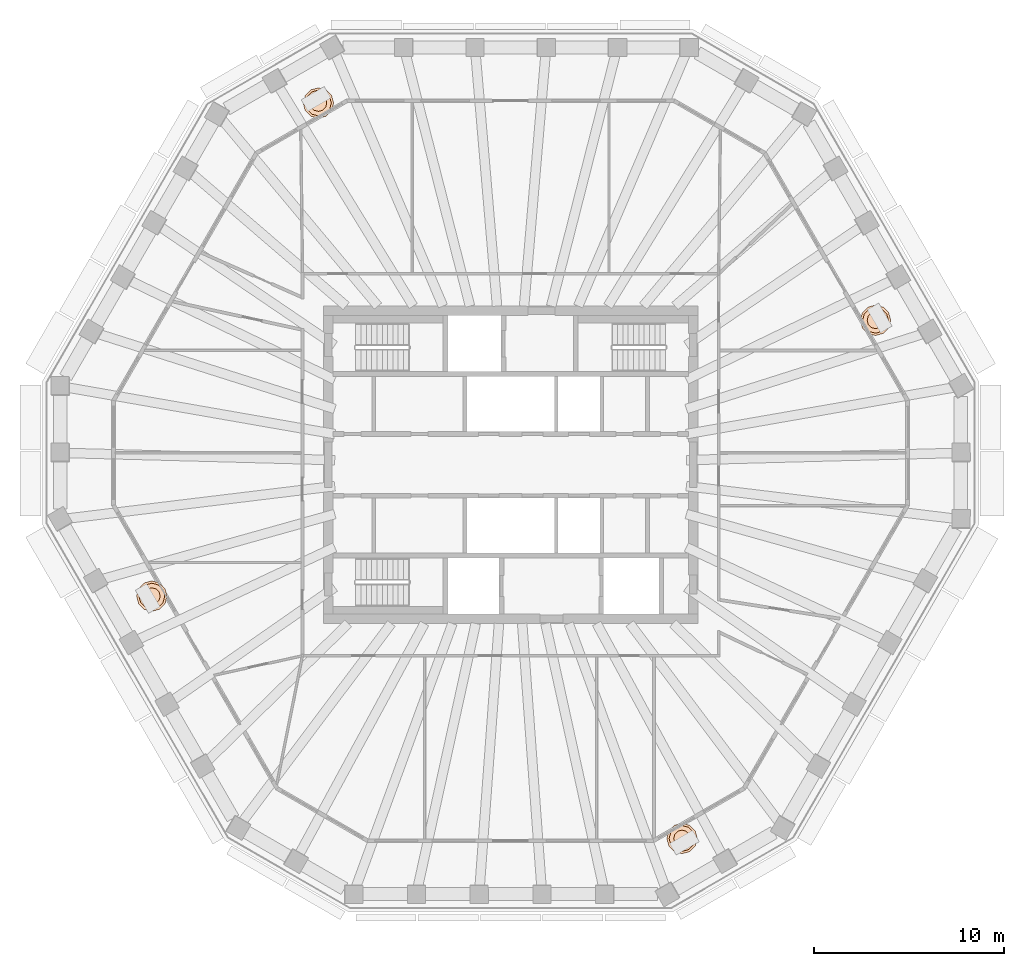
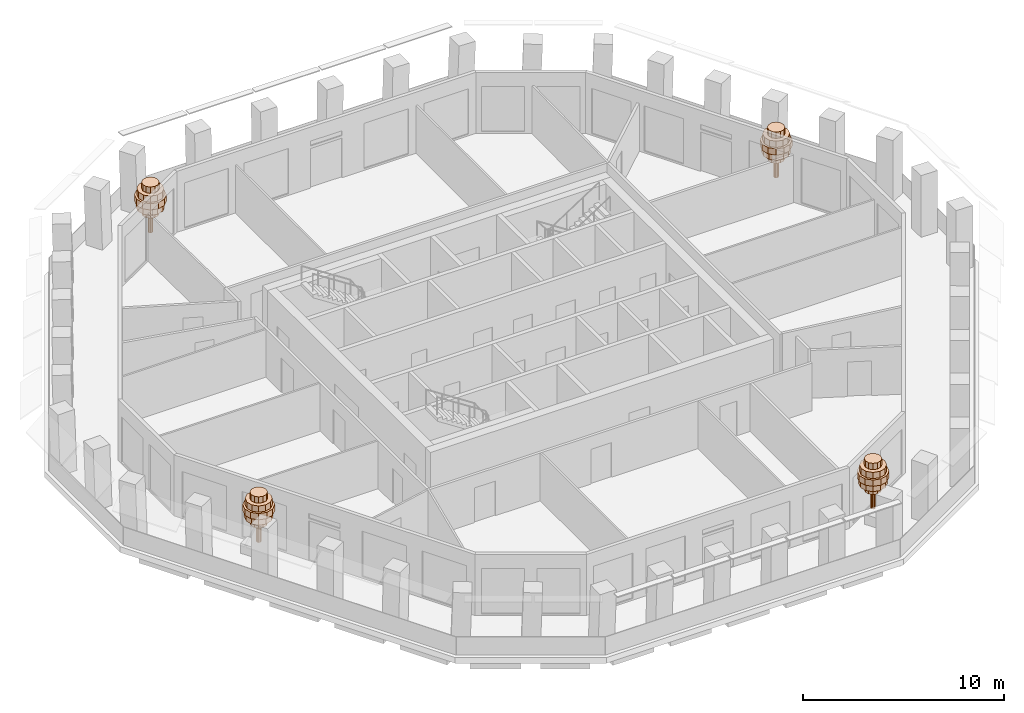
# One storey, part 11 of 11: 4 geographic elements.
"""IFC4 building model written with IfcOpenShell, lengths in metres."""

from ifc_helpers import new_model, si_unit, direction, frame, origin, place, context, subcontext, project, spatial, polyline, outline, extrude, material, type_object, element, save


model = new_model("IFC4")

# Units and contexts
model_context = context("Model", 3, precision=1e-05, world=origin(), true_north=direction((0.0, 1.0)))
body_context = subcontext(model_context, "Body", "Model", "MODEL_VIEW")
ifc_project = project(units=[si_unit("LENGTHUNIT", "METRE"), si_unit("AREAUNIT", "SQUARE_METRE"), si_unit("VOLUMEUNIT", "CUBIC_METRE"), si_unit("PLANEANGLEUNIT", "RADIAN"), si_unit("MASSUNIT", "GRAM", prefix="KILO")], contexts=[model_context])

# Site, building, storey
site_placement = place(None, origin())
site = spatial("IfcSite", under=ifc_project, at=site_placement, CompositionType="ELEMENT")
building_placement = place(site_placement, origin())
building = spatial("IfcBuilding", under=site, at=building_placement, Name="Frailejon Research Tower", CompositionType="ELEMENT")
storey_placement = place(building_placement, frame((0.0, 0.0, 283.0)))
storey = spatial("IfcBuildingStorey", under=building, at=storey_placement, Name="L62", CompositionType="ELEMENT", Elevation=283.0)

# Geographic elements
ifc_material = material(Name="Foliage, green")
geographic_element_type = type_object("IfcGeographicElementType", Name="Frailejon tree, loggia", PredefinedType="USERDEFINED", material=ifc_material)
geographic_element_1_placement = place(storey_placement, frame((19.2001953125, 7.601318359375, 0.60009765625)))
element("IfcGeographicElement", 1, at=geographic_element_1_placement, inside=storey, type_object=geographic_element_type, Name="Tree L62", ObjectType="TREE", PredefinedType="USERDEFINED", context=body_context, shape_type="SweptSolid", body=[
    extrude(outline(polyline([(0.1298828125, 0.0), (0.112548828125, 0.06494140625), (0.06494140625, 0.112548828125), (0.0, 0.1298828125), (-0.06494140625, 0.112548828125), (-0.112548828125, 0.06494140625), (-0.1298828125, 0.0), (-0.112548828125, -0.06494140625), (-0.06494140625, -0.112548828125), (0.0, -0.1298828125), (0.06494140625, -0.112548828125), (0.112548828125, -0.06494140625), (0.1298828125, 0.0)])), origin(), (0.0, 0.0, 1.0), 2.239990234375),
    extrude(outline(polyline([(0.43994140625, 0.0), (0.381103515625, 0.219970703125), (0.219970703125, 0.381103515625), (0.0, 0.43994140625), (-0.219970703125, 0.381103515625), (-0.381103515625, 0.219970703125), (-0.43994140625, 0.0), (-0.381103515625, -0.219970703125), (-0.219970703125, -0.381103515625), (0.0, -0.43994140625), (0.219970703125, -0.381103515625), (0.381103515625, -0.219970703125), (0.43994140625, 0.0)])), frame((0.0, 0.0, 1.10009765625)), (0.0, 0.0, 1.0), 0.3798828125),
    extrude(outline(polyline([(0.719970703125, 0.0), (0.62353515625, 0.360107421875), (0.360107421875, 0.62353515625), (0.0, 0.719970703125), (-0.360107421875, 0.62353515625), (-0.62353515625, 0.360107421875), (-0.719970703125, 0.0), (-0.62353515625, -0.360107421875), (-0.360107421875, -0.62353515625), (0.0, -0.719970703125), (0.360107421875, -0.62353515625), (0.62353515625, -0.360107421875), (0.719970703125, 0.0)])), frame((0.0, 0.0, 1.47998046875)), (0.0, 0.0, 1.0), 0.3798828125),
    extrude(outline(polyline([(0.800048828125, 0.0), (0.69287109375, 0.39990234375), (0.39990234375, 0.69287109375), (0.0, 0.800048828125), (-0.39990234375, 0.69287109375), (-0.69287109375, 0.39990234375), (-0.800048828125, 0.0), (-0.69287109375, -0.39990234375), (-0.39990234375, -0.69287109375), (0.0, -0.800048828125), (0.39990234375, -0.69287109375), (0.69287109375, -0.39990234375), (0.800048828125, 0.0)])), frame((0.0, 0.0, 1.860107421875)), (0.0, 0.0, 1.0), 0.3798828125),
    extrude(outline(polyline([(0.679931640625, 0.0), (0.5888671875, 0.340087890625), (0.340087890625, 0.5888671875), (0.0, 0.679931640625), (-0.340087890625, 0.5888671875), (-0.5888671875, 0.340087890625), (-0.679931640625, 0.0), (-0.5888671875, -0.340087890625), (-0.340087890625, -0.5888671875), (0.0, -0.679931640625), (0.340087890625, -0.5888671875), (0.5888671875, -0.340087890625), (0.679931640625, 0.0)])), frame((0.0, 0.0, 2.239990234375)), (0.0, 0.0, 1.0), 0.3798828125),
    extrude(outline(polyline([(0.43994140625, 0.0), (0.381103515625, 0.219970703125), (0.219970703125, 0.381103515625), (0.0, 0.43994140625), (-0.219970703125, 0.381103515625), (-0.381103515625, 0.219970703125), (-0.43994140625, 0.0), (-0.381103515625, -0.219970703125), (-0.219970703125, -0.381103515625), (0.0, -0.43994140625), (0.219970703125, -0.381103515625), (0.381103515625, -0.219970703125), (0.43994140625, 0.0)])), frame((0.0, 0.0, 2.6201171875)), (0.0, 0.0, 1.0), 0.3798828125),
])
geographic_element_2_placement = place(storey_placement, frame((-10.109619140625, 19.03173828125, 0.60009765625)))
element("IfcGeographicElement", 2, at=geographic_element_2_placement, inside=storey, type_object=geographic_element_type, Name="Tree L62", ObjectType="TREE", PredefinedType="USERDEFINED", context=body_context, shape_type="SweptSolid", body=[
    extrude(outline(polyline([(0.1298828125, 0.0), (0.112548828125, 0.06494140625), (0.06494140625, 0.112548828125), (0.0, 0.1298828125), (-0.06494140625, 0.112548828125), (-0.112548828125, 0.06494140625), (-0.1298828125, 0.0), (-0.112548828125, -0.06494140625), (-0.06494140625, -0.112548828125), (0.0, -0.1298828125), (0.06494140625, -0.112548828125), (0.112548828125, -0.06494140625), (0.1298828125, 0.0)])), origin(), (0.0, 0.0, 1.0), 2.239990234375),
    extrude(outline(polyline([(0.43994140625, 0.0), (0.381103515625, 0.219970703125), (0.219970703125, 0.381103515625), (0.0, 0.43994140625), (-0.219970703125, 0.381103515625), (-0.381103515625, 0.219970703125), (-0.43994140625, 0.0), (-0.381103515625, -0.219970703125), (-0.219970703125, -0.381103515625), (0.0, -0.43994140625), (0.219970703125, -0.381103515625), (0.381103515625, -0.219970703125), (0.43994140625, 0.0)])), frame((0.0, 0.0, 1.10009765625)), (0.0, 0.0, 1.0), 0.3798828125),
    extrude(outline(polyline([(0.719970703125, 0.0), (0.62353515625, 0.360107421875), (0.360107421875, 0.62353515625), (0.0, 0.719970703125), (-0.360107421875, 0.62353515625), (-0.62353515625, 0.360107421875), (-0.719970703125, 0.0), (-0.62353515625, -0.360107421875), (-0.360107421875, -0.62353515625), (0.0, -0.719970703125), (0.360107421875, -0.62353515625), (0.62353515625, -0.360107421875), (0.719970703125, 0.0)])), frame((0.0, 0.0, 1.47998046875)), (0.0, 0.0, 1.0), 0.3798828125),
    extrude(outline(polyline([(0.800048828125, 0.0), (0.69287109375, 0.39990234375), (0.39990234375, 0.69287109375), (0.0, 0.800048828125), (-0.39990234375, 0.69287109375), (-0.69287109375, 0.39990234375), (-0.800048828125, 0.0), (-0.69287109375, -0.39990234375), (-0.39990234375, -0.69287109375), (0.0, -0.800048828125), (0.39990234375, -0.69287109375), (0.69287109375, -0.39990234375), (0.800048828125, 0.0)])), frame((0.0, 0.0, 1.860107421875)), (0.0, 0.0, 1.0), 0.3798828125),
    extrude(outline(polyline([(0.679931640625, 0.0), (0.5888671875, 0.340087890625), (0.340087890625, 0.5888671875), (0.0, 0.679931640625), (-0.340087890625, 0.5888671875), (-0.5888671875, 0.340087890625), (-0.679931640625, 0.0), (-0.5888671875, -0.340087890625), (-0.340087890625, -0.5888671875), (0.0, -0.679931640625), (0.340087890625, -0.5888671875), (0.5888671875, -0.340087890625), (0.679931640625, 0.0)])), frame((0.0, 0.0, 2.239990234375)), (0.0, 0.0, 1.0), 0.3798828125),
    extrude(outline(polyline([(0.43994140625, 0.0), (0.381103515625, 0.219970703125), (0.219970703125, 0.381103515625), (0.0, 0.43994140625), (-0.219970703125, 0.381103515625), (-0.381103515625, 0.219970703125), (-0.43994140625, 0.0), (-0.381103515625, -0.219970703125), (-0.219970703125, -0.381103515625), (0.0, -0.43994140625), (0.219970703125, -0.381103515625), (0.381103515625, -0.219970703125), (0.43994140625, 0.0)])), frame((0.0, 0.0, 2.6201171875)), (0.0, 0.0, 1.0), 0.3798828125),
])
geographic_element_3_placement = place(storey_placement, frame((-18.87353515625, -6.909912109375, 0.60009765625)))
element("IfcGeographicElement", 3, at=geographic_element_3_placement, inside=storey, type_object=geographic_element_type, Name="Tree L62", ObjectType="TREE", PredefinedType="USERDEFINED", context=body_context, shape_type="SweptSolid", body=[
    extrude(outline(polyline([(0.1298828125, 0.0), (0.112548828125, 0.06494140625), (0.06494140625, 0.112548828125), (0.0, 0.1298828125), (-0.06494140625, 0.112548828125), (-0.112548828125, 0.06494140625), (-0.1298828125, 0.0), (-0.112548828125, -0.06494140625), (-0.06494140625, -0.112548828125), (0.0, -0.1298828125), (0.06494140625, -0.112548828125), (0.112548828125, -0.06494140625), (0.1298828125, 0.0)])), origin(), (0.0, 0.0, 1.0), 2.239990234375),
    extrude(outline(polyline([(0.43994140625, 0.0), (0.381103515625, 0.219970703125), (0.219970703125, 0.381103515625), (0.0, 0.43994140625), (-0.219970703125, 0.381103515625), (-0.381103515625, 0.219970703125), (-0.43994140625, 0.0), (-0.381103515625, -0.219970703125), (-0.219970703125, -0.381103515625), (0.0, -0.43994140625), (0.219970703125, -0.381103515625), (0.381103515625, -0.219970703125), (0.43994140625, 0.0)])), frame((0.0, 0.0, 1.10009765625)), (0.0, 0.0, 1.0), 0.3798828125),
    extrude(outline(polyline([(0.719970703125, 0.0), (0.62353515625, 0.360107421875), (0.360107421875, 0.62353515625), (0.0, 0.719970703125), (-0.360107421875, 0.62353515625), (-0.62353515625, 0.360107421875), (-0.719970703125, 0.0), (-0.62353515625, -0.360107421875), (-0.360107421875, -0.62353515625), (0.0, -0.719970703125), (0.360107421875, -0.62353515625), (0.62353515625, -0.360107421875), (0.719970703125, 0.0)])), frame((0.0, 0.0, 1.47998046875)), (0.0, 0.0, 1.0), 0.3798828125),
    extrude(outline(polyline([(0.800048828125, 0.0), (0.69287109375, 0.39990234375), (0.39990234375, 0.69287109375), (0.0, 0.800048828125), (-0.39990234375, 0.69287109375), (-0.69287109375, 0.39990234375), (-0.800048828125, 0.0), (-0.69287109375, -0.39990234375), (-0.39990234375, -0.69287109375), (0.0, -0.800048828125), (0.39990234375, -0.69287109375), (0.69287109375, -0.39990234375), (0.800048828125, 0.0)])), frame((0.0, 0.0, 1.860107421875)), (0.0, 0.0, 1.0), 0.3798828125),
    extrude(outline(polyline([(0.679931640625, 0.0), (0.5888671875, 0.340087890625), (0.340087890625, 0.5888671875), (0.0, 0.679931640625), (-0.340087890625, 0.5888671875), (-0.5888671875, 0.340087890625), (-0.679931640625, 0.0), (-0.5888671875, -0.340087890625), (-0.340087890625, -0.5888671875), (0.0, -0.679931640625), (0.340087890625, -0.5888671875), (0.5888671875, -0.340087890625), (0.679931640625, 0.0)])), frame((0.0, 0.0, 2.239990234375)), (0.0, 0.0, 1.0), 0.3798828125),
    extrude(outline(polyline([(0.43994140625, 0.0), (0.381103515625, 0.219970703125), (0.219970703125, 0.381103515625), (0.0, 0.43994140625), (-0.219970703125, 0.381103515625), (-0.381103515625, 0.219970703125), (-0.43994140625, 0.0), (-0.381103515625, -0.219970703125), (-0.219970703125, -0.381103515625), (0.0, -0.43994140625), (0.219970703125, -0.381103515625), (0.381103515625, -0.219970703125), (0.43994140625, 0.0)])), frame((0.0, 0.0, 2.6201171875)), (0.0, 0.0, 1.0), 0.3798828125),
])
geographic_element_4_placement = place(storey_placement, frame((9.02099609375, -19.66015625, 0.60009765625)))
element("IfcGeographicElement", 4, at=geographic_element_4_placement, inside=storey, type_object=geographic_element_type, Name="Tree L62", ObjectType="TREE", PredefinedType="USERDEFINED", context=body_context, shape_type="SweptSolid", body=[
    extrude(outline(polyline([(0.1298828125, 0.0), (0.112548828125, 0.06494140625), (0.06494140625, 0.112548828125), (0.0, 0.1298828125), (-0.06494140625, 0.112548828125), (-0.112548828125, 0.06494140625), (-0.1298828125, 0.0), (-0.112548828125, -0.06494140625), (-0.06494140625, -0.112548828125), (0.0, -0.1298828125), (0.06494140625, -0.112548828125), (0.112548828125, -0.06494140625), (0.1298828125, 0.0)])), origin(), (0.0, 0.0, 1.0), 2.239990234375),
    extrude(outline(polyline([(0.43994140625, 0.0), (0.381103515625, 0.219970703125), (0.219970703125, 0.381103515625), (0.0, 0.43994140625), (-0.219970703125, 0.381103515625), (-0.381103515625, 0.219970703125), (-0.43994140625, 0.0), (-0.381103515625, -0.219970703125), (-0.219970703125, -0.381103515625), (0.0, -0.43994140625), (0.219970703125, -0.381103515625), (0.381103515625, -0.219970703125), (0.43994140625, 0.0)])), frame((0.0, 0.0, 1.10009765625)), (0.0, 0.0, 1.0), 0.3798828125),
    extrude(outline(polyline([(0.719970703125, 0.0), (0.62353515625, 0.360107421875), (0.360107421875, 0.62353515625), (0.0, 0.719970703125), (-0.360107421875, 0.62353515625), (-0.62353515625, 0.360107421875), (-0.719970703125, 0.0), (-0.62353515625, -0.360107421875), (-0.360107421875, -0.62353515625), (0.0, -0.719970703125), (0.360107421875, -0.62353515625), (0.62353515625, -0.360107421875), (0.719970703125, 0.0)])), frame((0.0, 0.0, 1.47998046875)), (0.0, 0.0, 1.0), 0.3798828125),
    extrude(outline(polyline([(0.800048828125, 0.0), (0.69287109375, 0.39990234375), (0.39990234375, 0.69287109375), (0.0, 0.800048828125), (-0.39990234375, 0.69287109375), (-0.69287109375, 0.39990234375), (-0.800048828125, 0.0), (-0.69287109375, -0.39990234375), (-0.39990234375, -0.69287109375), (0.0, -0.800048828125), (0.39990234375, -0.69287109375), (0.69287109375, -0.39990234375), (0.800048828125, 0.0)])), frame((0.0, 0.0, 1.860107421875)), (0.0, 0.0, 1.0), 0.3798828125),
    extrude(outline(polyline([(0.679931640625, 0.0), (0.5888671875, 0.340087890625), (0.340087890625, 0.5888671875), (0.0, 0.679931640625), (-0.340087890625, 0.5888671875), (-0.5888671875, 0.340087890625), (-0.679931640625, 0.0), (-0.5888671875, -0.340087890625), (-0.340087890625, -0.5888671875), (0.0, -0.679931640625), (0.340087890625, -0.5888671875), (0.5888671875, -0.340087890625), (0.679931640625, 0.0)])), frame((0.0, 0.0, 2.239990234375)), (0.0, 0.0, 1.0), 0.3798828125),
    extrude(outline(polyline([(0.43994140625, 0.0), (0.381103515625, 0.219970703125), (0.219970703125, 0.381103515625), (0.0, 0.43994140625), (-0.219970703125, 0.381103515625), (-0.381103515625, 0.219970703125), (-0.43994140625, 0.0), (-0.381103515625, -0.219970703125), (-0.219970703125, -0.381103515625), (0.0, -0.43994140625), (0.219970703125, -0.381103515625), (0.381103515625, -0.219970703125), (0.43994140625, 0.0)])), frame((0.0, 0.0, 2.6201171875)), (0.0, 0.0, 1.0), 0.3798828125),
])

save(model, "model.ifc")
